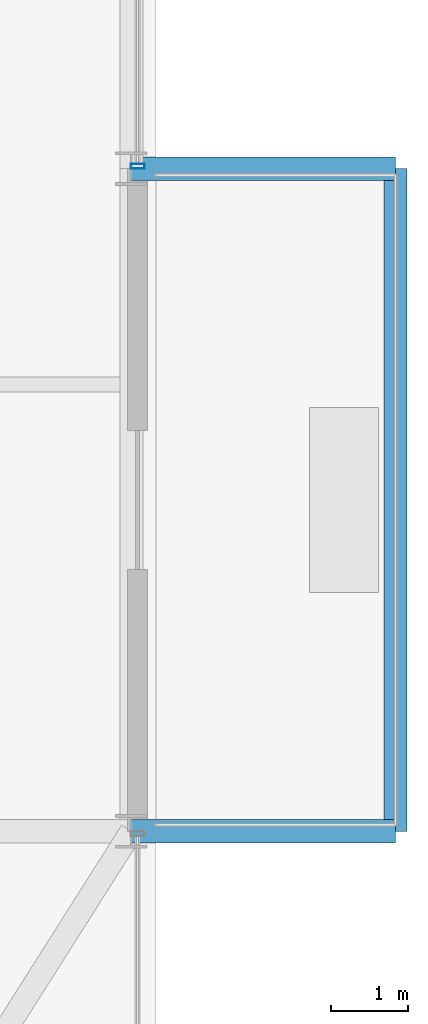
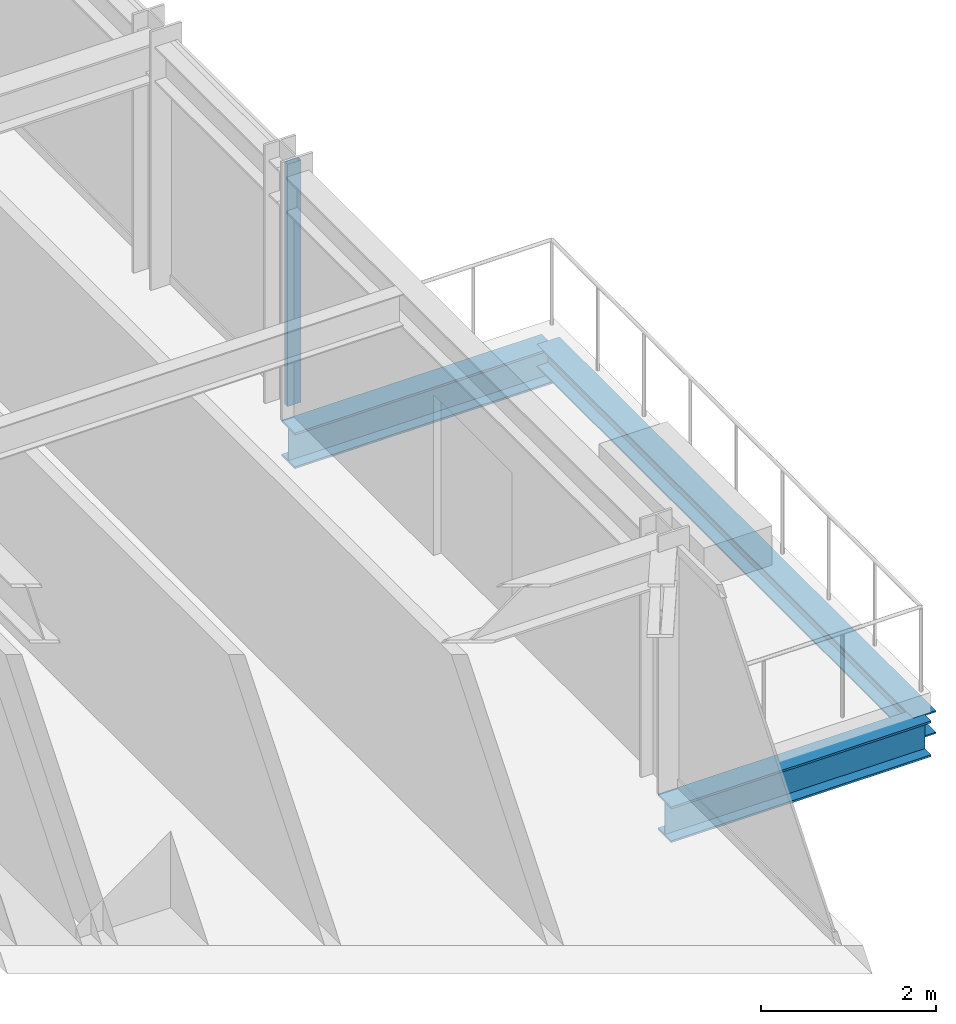
# One storey, part 13 of 34: 3 beams, 1 member, 1 element without a shape of its own.
"""IFC4 building model written with IfcOpenShell, lengths in metres."""

from ifc_helpers import new_model, si_unit, direction, frame, origin, origin_2d, place, context, subcontext, project, spatial, hollow_rectangle, i_section, extrude, source, transform, mapped, material, material_profile, profile_set, type_object, element, aggregate, save


model = new_model("IFC4")

# Units and contexts
model_context = context("Model", 3, precision=1e-05, world=origin(), true_north=direction((0.0, 1.0)))
body_context = subcontext(model_context, "Body", "Model", "MODEL_VIEW")
ifc_project = project(units=[si_unit("LENGTHUNIT", "METRE"), si_unit("AREAUNIT", "SQUARE_METRE"), si_unit("VOLUMEUNIT", "CUBIC_METRE"), si_unit("PLANEANGLEUNIT", "RADIAN"), si_unit("MASSUNIT", "GRAM", prefix="KILO")], contexts=[model_context])

# Site, building, storey
site_placement = place(None, origin())
site = spatial("IfcSite", under=ifc_project, at=site_placement, CompositionType="ELEMENT")
building_placement = place(site_placement, origin())
building = spatial("IfcBuilding", under=site, at=building_placement, Name="Nahalor Promenade Grand Hotel", CompositionType="ELEMENT")
storey_placement = place(building_placement, frame((0.0, 0.0, 99.25)))
storey = spatial("IfcBuildingStorey", under=building, at=storey_placement, Name="L24", CompositionType="ELEMENT", Elevation=99.25)

# Beams
ifc_material_1 = material(Name="Steel S355JR", Category="steel")
ifc_material_profile_1 = material_profile(ifc_material_1, i_section(OverallWidth=0.3, OverallDepth=0.32, WebThickness=0.0115, FlangeThickness=0.0205, at=origin_2d()), Name="HEB 320")
ifc_profile_set_1 = profile_set([ifc_material_profile_1], Name="Steel S355JR")
beam_type_1 = type_object("IfcBeamType", Name="Beam-BalcEdge-HEB320", PredefinedType="SPANDREL", material=ifc_profile_set_1)
shared_shape_1 = source(origin(), body_context, "Body", "SweptSolid", [
    extrude(i_section(OverallWidth=0.3, OverallDepth=0.32, WebThickness=0.0115, FlangeThickness=0.0205, at=origin_2d()), origin(), (0.0, 0.0, 1.0), 8.60009765625),
])
beam_placement = place(storey_placement, frame((27.2099609375, -17.0, -0.43994140625), z_axis=(0.0, 1.0, 0.0), x_axis=(-1.0, 0.0, 0.0)))
element("IfcBeam", 1, at=beam_placement, inside=storey, type_object=beam_type_1, Name="BM-L24-BC-02-F", PredefinedType="SPANDREL", context=body_context, shape_type="MappedRepresentation", body=[
    mapped(shared_shape_1, transform((0.0, 0.0, 0.0), scale=1.0)),
])
ifc_material_profile_2 = material_profile(ifc_material_1, i_section(OverallWidth=0.3, OverallDepth=0.5, WebThickness=0.0145, FlangeThickness=0.028, at=origin_2d()), Name="HEB 500")
ifc_profile_set_2 = profile_set([ifc_material_profile_2], Name="Steel S355JR")
beam_type_2 = type_object("IfcBeamType", Name="Beam-Outrigger-HEB500", PredefinedType="BEAM", material=ifc_profile_set_2)
shared_shape_2 = source(origin(), body_context, "Body", "SweptSolid", [
    extrude(i_section(OverallWidth=0.3, OverallDepth=0.5, WebThickness=0.0145, FlangeThickness=0.028, at=origin_2d()), origin(), (0.0, 0.0, 1.0), 3.429931640625),
])
for number, where, z_axis, x_axis, name in (
    (2, (23.780029296875, -17.0, -0.530029296875), (1.0, 0.0, 0.0), (0.0, 1.0, 0.0), "BM-L24-BC-02-1"),
    (3, (23.780029296875, -8.39990234375, -0.530029296875), (1.0, 0.0, 0.0), (0.0, 1.0, 0.0), "BM-L24-BC-02-2"),
):
    element("IfcBeam", number, at=place(storey_placement, frame(where, z_axis=z_axis, x_axis=x_axis)), inside=storey, type_object=beam_type_2, Name=name, PredefinedType="BEAM", context=body_context, shape_type="MappedRepresentation", body=[
        mapped(shared_shape_2, transform((0.0, 0.0, 0.0), scale=1.0)),
    ])

# Curtain wall, member
ifc_material_2 = material(Name="Anodised Bronze Aluminium EN AW-6063 T6", Category="aluminium")
curtain_wall_type = type_object("IfcCurtainWallType", Name="CW2 Typical Hotel Flush Bronze Unitised Curtain Wall", PredefinedType="USERDEFINED", material=ifc_material_2)
curtain_wall_placement = place(storey_placement, origin())
curtain_wall = element("IfcCurtainWall", 4, at=curtain_wall_placement, inside=storey, type_object=curtain_wall_type, Name="L24 Curtain Wall CW-L24-E-3", ObjectType="UNITISED_CURTAIN_WALL", PredefinedType="USERDEFINED")
ifc_material_profile_3 = material_profile(ifc_material_2, hollow_rectangle(XDim=0.065, YDim=0.18, WallThickness=0.004, at=origin_2d()), Name="CWM 65x180x4")
ifc_profile_set_3 = profile_set([ifc_material_profile_3], Name="Anodised Bronze Aluminium EN AW-6063 T6")
member_type = type_object("IfcMemberType", Name="CWM2 Typical Bronze Mullion 65x180", PredefinedType="MULLION", material=ifc_profile_set_3)
shared_shape_3 = source(origin(), body_context, "Body", "SweptSolid", [
    extrude(hollow_rectangle(XDim=0.065, YDim=0.18, WallThickness=0.004, at=origin_2d()), origin(), (0.0, 0.0, 1.0), 3.3798828125),
])
member_placement = place(storey_placement, frame((23.860107421875, -8.367431640625, 0.0), z_axis=(0.0, 0.0, 1.0), x_axis=(0.0, 1.0, 0.0)))
member = element("IfcMember", 5, at=member_placement, type_object=member_type, Name="CW-L24-E-3 Mullion 0", PredefinedType="MULLION", context=body_context, shape_type="MappedRepresentation", body=[
    mapped(shared_shape_3, transform((0.0, 0.0, 0.0), scale=1.0)),
])
aggregate(curtain_wall, [member])

save(model, "model.ifc")
